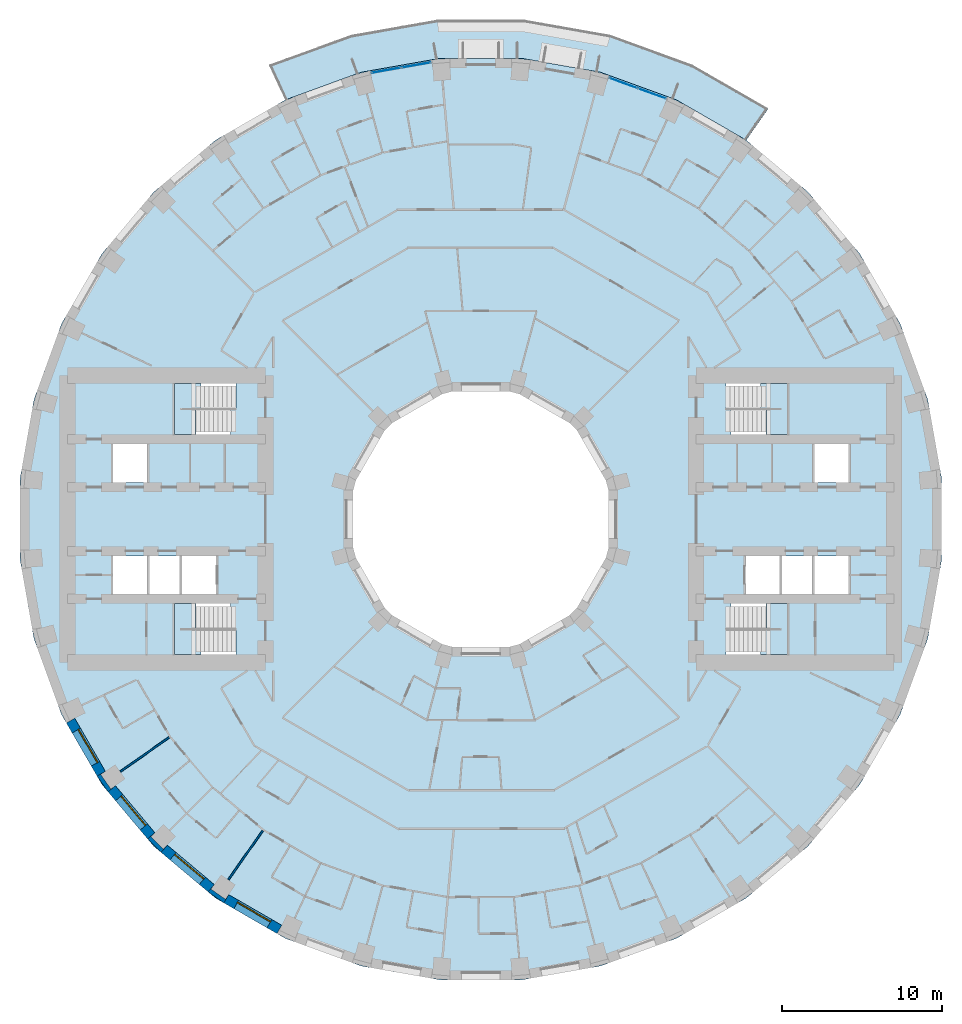
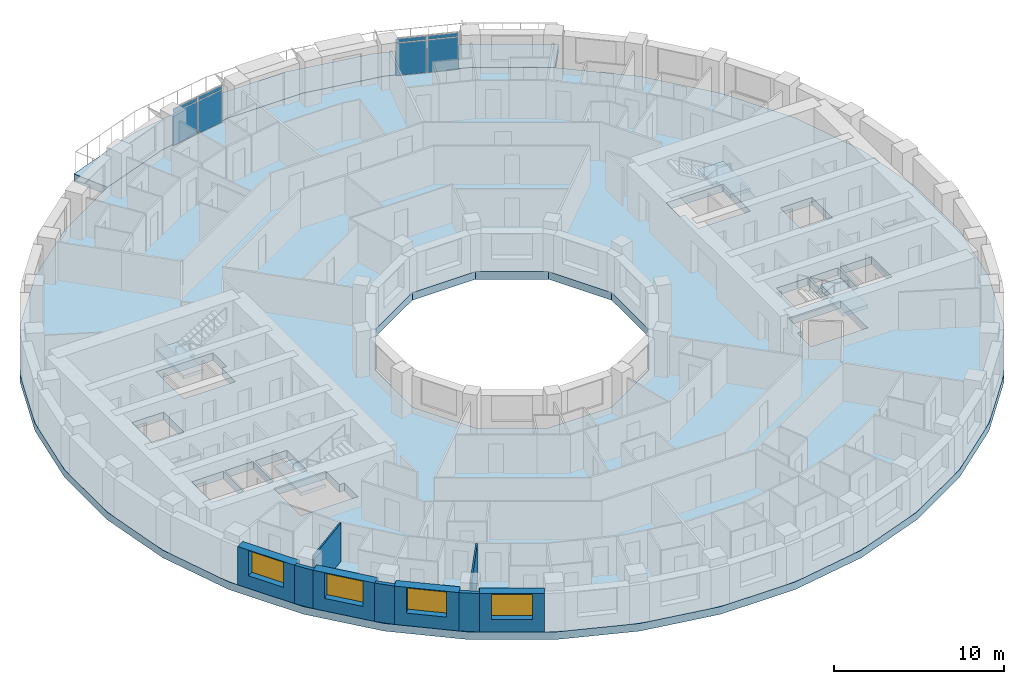
# One storey, part 3 of 15: 9 walls, 8 plates, 6 slabs, 4 windows, 4 openings, 6 elements without a shape of their own.
"""IFC4 building model written with IfcOpenShell, lengths in metres."""

from ifc_helpers import new_model, si_unit, direction, frame, frame_2d, origin, origin_2d, place, context, subcontext, project, spatial, polyline, rectangle, outline, extrude, material, layer, layer_set, type_object, element, fill, aggregate, save


model = new_model("IFC4")

# Units and contexts
model_context = context("Model", 3, precision=1e-05, world=origin(), true_north=direction((0.0, 1.0)))
body_context = subcontext(model_context, "Body", "Model", "MODEL_VIEW")
ifc_project = project(units=[si_unit("LENGTHUNIT", "METRE"), si_unit("AREAUNIT", "SQUARE_METRE"), si_unit("VOLUMEUNIT", "CUBIC_METRE"), si_unit("PLANEANGLEUNIT", "RADIAN"), si_unit("MASSUNIT", "GRAM", prefix="KILO")], contexts=[model_context])

# Site, building, storey
site_placement = place(None, origin())
site = spatial("IfcSite", under=ifc_project, at=site_placement, CompositionType="ELEMENT")
building_placement = place(site_placement, origin())
building = spatial("IfcBuilding", under=site, at=building_placement, Name="Saqina Gate Tower", CompositionType="ELEMENT")
storey_placement = place(building_placement, frame((0.0, 0.0, 75.800048828125)))
storey = spatial("IfcBuildingStorey", under=building, at=storey_placement, Name="L21", CompositionType="ELEMENT", Elevation=75.800048828125)

# Curtain wall, plates
ifc_material_1 = material(Name="Aluminium glazing", Category="aluminium")
ifc_layer_1 = layer(ifc_material_1, 0.159912109375)
ifc_layer_set_1 = layer_set([ifc_layer_1], Name="CWT-4")
curtain_wall_type = type_object("IfcCurtainWallType", Name="CWT-4", PredefinedType="NOTDEFINED", material=ifc_layer_set_1)
curtain_wall_1_placement = place(storey_placement, origin())
curtain_wall_1 = element("IfcCurtainWall", 1, at=curtain_wall_1_placement, inside=storey, type_object=curtain_wall_type, Name="Terrace lounge glazing facet 7", PredefinedType="NOTDEFINED")
ifc_material_2 = material(Name="Glass", Category="glass")
ifc_layer_2 = layer(ifc_material_2, 0.028076171875)
ifc_layer_set_2 = layer_set([ifc_layer_2], Name="CWT-4P")
plate_type = type_object("IfcPlateType", Name="CWT-4P", PredefinedType="CURTAIN_PANEL", material=ifc_layer_set_2)
plate_1_placement = place(storey_placement, frame((10.718994140625, 26.682861328125, 0.059814453125), z_axis=(0.0, 0.0, 1.0), x_axis=(-0.939696968811, 0.34200819699, 0.0)))
plate_1 = element("IfcPlate", 2, at=plate_1_placement, type_object=plate_type, Name="CW4-07 panel 1.1", PredefinedType="CURTAIN_PANEL", context=body_context, shape_type="SweptSolid", body=[
    extrude(rectangle(XDim=1.8330078125, YDim=0.028076171875, at=origin_2d()), origin(), (0.0, 0.0, 1.0), 2.31005859375),
])
plate_2_placement = place(storey_placement, frame((10.718994140625, 26.682861328125, 2.43017578125), z_axis=(0.0, 0.0, 1.0), x_axis=(-0.939696968811, 0.34200819699, 0.0)))
plate_2 = element("IfcPlate", 3, at=plate_2_placement, type_object=plate_type, Name="CW4-07 panel 1.2", PredefinedType="CURTAIN_PANEL", context=body_context, shape_type="SweptSolid", body=[
    extrude(rectangle(XDim=1.8330078125, YDim=0.028076171875, at=origin_2d()), origin(), (0.0, 0.0, 1.0), 0.260009765625),
])
plate_3_placement = place(storey_placement, frame((8.940185546875, 27.330078125, 0.059814453125), z_axis=(0.0, 0.0, 1.0), x_axis=(-0.939696968811, 0.34200819699, 0.0)))
plate_3 = element("IfcPlate", 4, at=plate_3_placement, type_object=plate_type, Name="CW4-07 panel 2.1", PredefinedType="CURTAIN_PANEL", context=body_context, shape_type="SweptSolid", body=[
    extrude(rectangle(XDim=1.8330078125, YDim=0.028076171875, at=origin_2d()), origin(), (0.0, 0.0, 1.0), 2.31005859375),
])
plate_4_placement = place(storey_placement, frame((8.940185546875, 27.330078125, 2.43017578125), z_axis=(0.0, 0.0, 1.0), x_axis=(-0.939696968811, 0.34200819699, 0.0)))
plate_4 = element("IfcPlate", 5, at=plate_4_placement, type_object=plate_type, Name="CW4-07 panel 2.2", PredefinedType="CURTAIN_PANEL", context=body_context, shape_type="SweptSolid", body=[
    extrude(rectangle(XDim=1.8330078125, YDim=0.028076171875, at=origin_2d()), origin(), (0.0, 0.0, 1.0), 0.260009765625),
])
aggregate(curtain_wall_1, [plate_1, plate_2, plate_3, plate_4])

curtain_wall_2_placement = place(storey_placement, origin())
curtain_wall_2 = element("IfcCurtainWall", 6, at=curtain_wall_2_placement, inside=storey, type_object=curtain_wall_type, Name="Terrace lounge glazing facet 10", PredefinedType="NOTDEFINED")
plate_5_placement = place(storey_placement, frame((-4.05859375, 28.46728515625, 0.059814453125), z_axis=(0.0, 0.0, 1.0), x_axis=(-0.984808678199, -0.17364293059, 0.0)))
plate_5 = element("IfcPlate", 7, at=plate_5_placement, type_object=plate_type, Name="CW4-10 panel 1.1", PredefinedType="CURTAIN_PANEL", context=body_context, shape_type="SweptSolid", body=[
    extrude(rectangle(XDim=1.8330078125, YDim=0.028076171875, at=origin_2d()), origin(), (0.0, 0.0, 1.0), 2.31005859375),
])
plate_6_placement = place(storey_placement, frame((-4.05859375, 28.46728515625, 2.43017578125), z_axis=(0.0, 0.0, 1.0), x_axis=(-0.984808678199, -0.17364293059, 0.0)))
plate_6 = element("IfcPlate", 8, at=plate_6_placement, type_object=plate_type, Name="CW4-10 panel 1.2", PredefinedType="CURTAIN_PANEL", context=body_context, shape_type="SweptSolid", body=[
    extrude(rectangle(XDim=1.8330078125, YDim=0.028076171875, at=origin_2d()), origin(), (0.0, 0.0, 1.0), 0.260009765625),
])
plate_7_placement = place(storey_placement, frame((-5.922607421875, 28.138671875, 0.059814453125), z_axis=(0.0, 0.0, 1.0), x_axis=(-0.984808678199, -0.17364293059, 0.0)))
plate_7 = element("IfcPlate", 9, at=plate_7_placement, type_object=plate_type, Name="CW4-10 panel 2.1", PredefinedType="CURTAIN_PANEL", context=body_context, shape_type="SweptSolid", body=[
    extrude(rectangle(XDim=1.8330078125, YDim=0.028076171875, at=origin_2d()), origin(), (0.0, 0.0, 1.0), 2.31005859375),
])
plate_8_placement = place(storey_placement, frame((-5.922607421875, 28.138671875, 2.43017578125), z_axis=(0.0, 0.0, 1.0), x_axis=(-0.984808678199, -0.17364293059, 0.0)))
plate_8 = element("IfcPlate", 10, at=plate_8_placement, type_object=plate_type, Name="CW4-10 panel 2.2", PredefinedType="CURTAIN_PANEL", context=body_context, shape_type="SweptSolid", body=[
    extrude(rectangle(XDim=1.8330078125, YDim=0.028076171875, at=origin_2d()), origin(), (0.0, 0.0, 1.0), 0.260009765625),
])
aggregate(curtain_wall_2, [plate_5, plate_6, plate_7, plate_8])

# Stair, slab
ifc_material_3 = material(Name="Concrete C40/50", Category="concrete")
stair_type = type_object("IfcStairType", Name="EXIT STAIR", PredefinedType="HALF_TURN_STAIR", material=ifc_material_3)
stair_1_placement = place(storey_placement, origin())
stair_1 = element("IfcStair", 11, at=stair_1_placement, inside=storey, type_object=stair_type, Name="EXIT STAIR 1", PredefinedType="HALF_TURN_STAIR")
ifc_material_4 = material(Name="Concrete C40/50", Category="concrete")
ifc_layer_3 = layer(ifc_material_4, 0.25)
ifc_layer_set_3 = layer_set([ifc_layer_3], Name="Concrete C40/50")
slab_type_1 = type_object("IfcSlabType", Name="EXIT STAIR LANDING", PredefinedType="LANDING", material=ifc_layer_set_3)
slab_1_placement = place(storey_placement, frame((0.0, 0.0, 1.39990234375)))
slab_1 = element("IfcSlab", 12, at=slab_1_placement, type_object=slab_type_1, Name="EXIT STAIR 1 LANDING 1", PredefinedType="LANDING", context=body_context, shape_type="SweptSolid", body=[
    extrude(outline(polyline([(19.219970703125, 8.5), (19.219970703125, 5.300048828125), (17.864990234375, 5.300048828125), (17.864990234375, 6.89990234375), (17.534423828125, 6.89990234375), (17.534423828125, 8.5), (17.864990234375, 8.5), (17.8701171875, 8.5), (19.219970703125, 8.5)])), origin(), (0.0, 0.0, 1.0), 0.25),
])
aggregate(stair_1, [slab_1])

stair_2_placement = place(storey_placement, origin())
stair_2 = element("IfcStair", 13, at=stair_2_placement, inside=storey, type_object=stair_type, Name="EXIT STAIR 2", PredefinedType="HALF_TURN_STAIR")
slab_2_placement = place(storey_placement, frame((0.0, 0.0, 1.39990234375)))
slab_2 = element("IfcSlab", 14, at=slab_2_placement, type_object=slab_type_1, Name="EXIT STAIR 2 LANDING 1", PredefinedType="LANDING", context=body_context, shape_type="SweptSolid", body=[
    extrude(outline(polyline([(17.534423828125, -8.5), (17.534423828125, -6.89990234375), (17.864990234375, -6.89990234375), (17.864990234375, -5.300048828125), (19.219970703125, -5.300048828125), (19.219970703125, -8.5), (17.8701171875, -8.5), (17.864990234375, -8.5), (17.534423828125, -8.5)])), origin(), (0.0, 0.0, 1.0), 0.25),
])
aggregate(stair_2, [slab_2])

stair_3_placement = place(storey_placement, origin())
stair_3 = element("IfcStair", 15, at=stair_3_placement, inside=storey, type_object=stair_type, Name="EXIT STAIR 3", PredefinedType="HALF_TURN_STAIR")
slab_3_placement = place(storey_placement, frame((0.0, 0.0, 1.39990234375)))
slab_3 = element("IfcSlab", 16, at=slab_3_placement, type_object=slab_type_1, Name="EXIT STAIR 3 LANDING 1", PredefinedType="LANDING", context=body_context, shape_type="SweptSolid", body=[
    extrude(outline(polyline([(-17.864990234375, 5.300048828125), (-19.219970703125, 5.300048828125), (-19.219970703125, 8.5), (-17.8701171875, 8.5), (-17.864990234375, 8.5), (-17.534423828125, 8.5), (-17.534423828125, 6.89990234375), (-17.864990234375, 6.89990234375), (-17.864990234375, 5.300048828125)])), origin(), (0.0, 0.0, 1.0), 0.25),
])
aggregate(stair_3, [slab_3])

stair_4_placement = place(storey_placement, origin())
stair_4 = element("IfcStair", 17, at=stair_4_placement, inside=storey, type_object=stair_type, Name="EXIT STAIR 4", PredefinedType="HALF_TURN_STAIR")
slab_4_placement = place(storey_placement, frame((0.0, 0.0, 1.39990234375)))
slab_4 = element("IfcSlab", 18, at=slab_4_placement, type_object=slab_type_1, Name="EXIT STAIR 4 LANDING 1", PredefinedType="LANDING", context=body_context, shape_type="SweptSolid", body=[
    extrude(outline(polyline([(-17.534423828125, -6.89990234375), (-17.534423828125, -8.5), (-17.864990234375, -8.5), (-17.8701171875, -8.5), (-19.219970703125, -8.5), (-19.219970703125, -5.300048828125), (-17.864990234375, -5.300048828125), (-17.864990234375, -6.89990234375), (-17.534423828125, -6.89990234375)])), origin(), (0.0, 0.0, 1.0), 0.25),
])
aggregate(stair_4, [slab_4])

# Slabs
ifc_material_5 = material(Name="Concrete C40/50", Category="concrete")
ifc_layer_4 = layer(ifc_material_5, 0.550048828125)
ifc_layer_set_4 = layer_set([ifc_layer_4], Name="Concrete C40/50")
slab_type_2 = type_object("IfcSlabType", Name="STR-POST-TENSIONED FLAT PLATE FLOOR-550", PredefinedType="FLOOR", material=ifc_layer_set_4)
slab_5_placement = place(storey_placement, frame((0.0, 0.0, -0.550048828125)))
element("IfcSlab", 19, at=slab_5_placement, inside=storey, type_object=slab_type_2, Name="L21-SLB01", PredefinedType="FLOOR", context=body_context, shape_type="SweptSolid", body=[
    extrude(outline(polyline([(28.011962890625, -7.505859375), (28.8896484375, -2.527587890625), (28.8896484375, 2.527587890625), (28.011962890625, 7.505859375), (26.282958984375, 12.255859375), (23.75537109375, 16.6337890625), (20.506103515625, 20.506103515625), (16.6337890625, 23.75537109375), (12.255859375, 26.282958984375), (7.505859375, 28.011962890625), (2.527587890625, 28.8896484375), (-2.527587890625, 28.8896484375), (-7.505859375, 28.011962890625), (-12.255859375, 26.282958984375), (-16.6337890625, 23.75537109375), (-20.506103515625, 20.506103515625), (-23.75537109375, 16.6337890625), (-26.282958984375, 12.255859375), (-28.011962890625, 7.505859375), (-28.8896484375, 2.527587890625), (-28.8896484375, -2.527587890625), (-28.011962890625, -7.505859375), (-26.282958984375, -12.255859375), (-23.75537109375, -16.6337890625), (-20.506103515625, -20.506103515625), (-16.6337890625, -23.75537109375), (-12.255859375, -26.282958984375), (-7.505859375, -28.011962890625), (-2.527587890625, -28.8896484375), (2.527587890625, -28.8896484375), (7.505859375, -28.011962890625), (12.255859375, -26.282958984375), (16.6337890625, -23.75537109375), (20.506103515625, -20.506103515625), (23.75537109375, -16.6337890625), (26.282958984375, -12.255859375), (28.011962890625, -7.505859375)]), holes=[polyline([(2.1435546875, 8.0), (5.8564453125, 5.8564453125), (8.0, 2.1435546875), (8.0, -2.1435546875), (5.8564453125, -5.8564453125), (2.1435546875, -8.0), (-2.1435546875, -8.0), (-5.8564453125, -5.8564453125), (-8.0, -2.1435546875), (-8.0, 2.1435546875), (-5.8564453125, 5.8564453125), (-2.1435546875, 8.0), (2.1435546875, 8.0)]), polyline([(-19.219970703125, -8.5), (-19.219970703125, -6.89990234375), (-19.219970703125, -5.300048828125), (-15.685546875, -5.300048828125), (-15.685546875, -6.89990234375), (-15.35498046875, -6.89990234375), (-15.35498046875, -8.5), (-19.219970703125, -8.5)]), polyline([(-20.89990234375, -2.300048828125), (-20.89990234375, -4.699951171875), (-23.06005859375, -4.699951171875), (-23.06005859375, -2.300048828125), (-20.89990234375, -2.300048828125)]), polyline([(-18.8701171875, -2.300048828125), (-18.8701171875, -4.699951171875), (-20.780029296875, -4.699951171875), (-20.780029296875, -2.300048828125), (-18.8701171875, -2.300048828125)]), polyline([(-16.590087890625, -2.300048828125), (-16.590087890625, -4.699951171875), (-18.75, -4.699951171875), (-18.75, -2.300048828125), (-16.590087890625, -2.300048828125)]), polyline([(-20.89990234375, 4.699951171875), (-20.89990234375, 2.300048828125), (-23.06005859375, 2.300048828125), (-23.06005859375, 4.699951171875), (-20.89990234375, 4.699951171875)]), polyline([(-19.219970703125, 6.89990234375), (-19.219970703125, 8.5), (-15.35498046875, 8.5), (-15.35498046875, 6.89990234375), (-15.685546875, 6.89990234375), (-15.685546875, 5.300048828125), (-19.219970703125, 5.300048828125), (-19.219970703125, 6.89990234375)]), polyline([(15.35498046875, -6.89990234375), (15.685546875, -6.89990234375), (15.685546875, -5.300048828125), (19.219970703125, -5.300048828125), (19.219970703125, -6.89990234375), (19.219970703125, -8.5), (15.35498046875, -8.5), (15.35498046875, -6.89990234375)]), polyline([(18.75, -2.300048828125), (18.75, -4.699951171875), (16.590087890625, -4.699951171875), (16.590087890625, -2.300048828125), (18.75, -2.300048828125)]), polyline([(20.780029296875, -2.300048828125), (20.780029296875, -4.699951171875), (18.8701171875, -4.699951171875), (18.8701171875, -2.300048828125), (20.780029296875, -2.300048828125)]), polyline([(23.06005859375, -2.300048828125), (23.06005859375, -4.699951171875), (20.89990234375, -4.699951171875), (20.89990234375, -2.300048828125), (23.06005859375, -2.300048828125)]), polyline([(23.06005859375, 4.699951171875), (23.06005859375, 2.300048828125), (20.89990234375, 2.300048828125), (20.89990234375, 4.699951171875), (23.06005859375, 4.699951171875)]), polyline([(15.685546875, 6.89990234375), (15.35498046875, 6.89990234375), (15.35498046875, 8.5), (19.219970703125, 8.5), (19.219970703125, 6.89990234375), (19.219970703125, 5.300048828125), (15.685546875, 5.300048828125), (15.685546875, 6.89990234375)])]), origin(), (0.0, 0.0, 1.0), 0.550048828125),
])
ifc_material_6 = material(Name="Concrete C40/50", Category="concrete")
ifc_layer_5 = layer(ifc_material_6, 0.550048828125)
ifc_layer_set_5 = layer_set([ifc_layer_5], Name="Concrete C40/50")
slab_type_3 = type_object("IfcSlabType", Name="STR-POST-TENSIONED FLAT PLATE TERRACE-550", PredefinedType="FLOOR", material=ifc_layer_set_5)
slab_6_placement = place(storey_placement, frame((0.0, 0.0, -0.550048828125)))
element("IfcSlab", 20, at=slab_6_placement, inside=storey, type_object=slab_type_3, Name="L21-TRS01", PredefinedType="FLOOR", context=body_context, shape_type="SweptSolid", body=[
    extrude(outline(polyline([(16.6337890625, 23.75537109375), (12.255859375, 26.282958984375), (7.505859375, 28.011962890625), (2.527587890625, 28.8896484375), (-2.527587890625, 28.8896484375), (-7.505859375, 28.011962890625), (-12.255859375, 26.282958984375), (-13.274169921875, 28.46630859375), (-8.12939453125, 30.3388671875), (-2.737548828125, 31.28955078125), (2.737548828125, 31.28955078125), (8.12939453125, 30.3388671875), (13.274169921875, 28.46630859375), (18.015625, 25.72900390625), (16.6337890625, 23.75537109375)])), origin(), (0.0, 0.0, 1.0), 0.550048828125),
])

# Walls
ifc_material_7 = material(Name="Brick masonry (red)", Category="masonry")
wall_type_1 = type_object("IfcWallType", Name="BRICK PIER COPING RED", PredefinedType="SOLIDWALL", material=ifc_material_7)
wall_1_placement = place(storey_placement, origin())
element("IfcWall", 21, at=wall_1_placement, inside=storey, type_object=wall_type_1, Name="Pier cap L21 column 22", PredefinedType="SOLIDWALL", context=body_context, shape_type="SweptSolid", body=[
    extrude(outline(polyline([(-24.0576171875, -16.110107421875), (-23.36669921875, -17.096923828125), (-22.9072265625, -16.711181640625), (-23.194091796875, -16.912109375), (-23.8251953125, -16.010986328125), (-23.5380859375, -15.81005859375), (-24.0576171875, -16.110107421875)])), origin(), (0.0, 0.0, 1.0), 2.75),
])
wall_2_placement = place(storey_placement, origin())
element("IfcWall", 22, at=wall_2_placement, inside=storey, type_object=wall_type_1, Name="Pier cap L21 column 23", PredefinedType="SOLIDWALL", context=body_context, shape_type="SweptSolid", body=[
    extrude(outline(polyline([(-20.04296875, -20.894775390625), (-19.6572265625, -20.43505859375), (-19.905029296875, -20.682861328125), (-20.682861328125, -19.905029296875), (-20.43505859375, -19.6572265625), (-20.894775390625, -20.04296875), (-20.04296875, -20.894775390625)])), origin(), (0.0, 0.0, 1.0), 2.75),
])
wall_3_placement = place(storey_placement, origin())
element("IfcWall", 23, at=wall_3_placement, inside=storey, type_object=wall_type_1, Name="Pier cap L21 column 24", PredefinedType="SOLIDWALL", context=body_context, shape_type="SweptSolid", body=[
    extrude(outline(polyline([(-17.096923828125, -23.36669921875), (-16.110107421875, -24.0576171875), (-15.81005859375, -23.5380859375), (-16.010986328125, -23.8251953125), (-16.912109375, -23.194091796875), (-16.711181640625, -22.9072265625), (-17.096923828125, -23.36669921875)])), origin(), (0.0, 0.0, 1.0), 2.75),
])

# Wall, opening, window
ifc_material_8 = material(Name="Brick masonry (red)", Category="masonry")
ifc_layer_6 = layer(ifc_material_8, 0.60009765625)
ifc_layer_set_6 = layer_set([ifc_layer_6], Name="FW-BRICK-RED")
wall_type_2 = type_object("IfcWallType", Name="FW-BRICK-RED", PredefinedType="SOLIDWALL", material=ifc_layer_set_6)
wall_4_placement = place(storey_placement, frame((-25.720703125, -12.629638671875, 0.0), z_axis=(0.0, 0.0, 1.0), x_axis=(0.499989888488, -0.86603124159, 0.0)))
wall_4 = element("IfcWall", 24, at=wall_4_placement, inside=storey, type_object=wall_type_2, Name="Facade wall L21 facet 21", PredefinedType="SOLIDWALL", context=body_context, shape_type="SweptSolid", body=[
    extrude(rectangle(XDim=3.845703125, YDim=0.60009765625, at=frame_2d((1.9228515625, 0.0))), origin(), (0.0, 0.0, 1.0), 2.75),
])
opening_1_placement = place(wall_4_placement, frame((0.722900390625, 0.0, 0.89990234375)))
opening_1 = element("IfcOpeningElement", 25, at=opening_1_placement, cuts=wall_4, Name="Opening G06-W10", PredefinedType="OPENING", context=body_context, shape_type="SweptSolid", body=[
    extrude(rectangle(XDim=2.39990234375, YDim=1.800048828125, at=frame_2d((1.199951171875, 0.89990234375))), frame((0.0, 0.31201171875, 0.0), z_axis=(0.0, -1.0, 0.0), x_axis=(1.0, 0.0, 0.0)), (0.0, 0.0, 1.0), 0.6240234375),
])
ifc_material_9 = material(Name="Aluminium glazing", Category="aluminium")
window_type = type_object("IfcWindowType", Name="WN-A", PartitioningType="SINGLE_PANEL", PredefinedType="WINDOW", material=ifc_material_9)
window_1_placement = place(opening_1_placement, origin())
window_1 = element("IfcWindow", 26, at=window_1_placement, inside=storey, type_object=window_type, Name="Window L21 facet 21", OverallHeight=1.800048828125, OverallWidth=2.39990234375, PartitioningType="SINGLE_PANEL", PredefinedType="WINDOW", context=body_context, shape_type="SweptSolid", body=[
    extrude(rectangle(XDim=2.39990234375, YDim=1.800048828125, at=frame_2d((1.199951171875, 0.89990234375))), frame((0.0, 0.179931640625, 0.0), z_axis=(0.0, -1.0, 0.0), x_axis=(1.0, 0.0, 0.0)), (0.0, 0.0, 1.0), 0.06005859375),
])
fill(opening_1, window_1)

wall_5_placement = place(storey_placement, frame((-23.136962890625, -16.904052734375, 0.0), z_axis=(0.0, 0.0, 1.0), x_axis=(0.642809392687, -0.766026164483, 0.0)))
wall_5 = element("IfcWall", 27, at=wall_5_placement, inside=storey, type_object=wall_type_2, Name="Facade wall L21 facet 22", PredefinedType="SOLIDWALL", context=body_context, shape_type="SweptSolid", body=[
    extrude(rectangle(XDim=3.845947265625, YDim=0.60009765625, at=frame_2d((1.9228515625, 0.0))), origin(), (0.0, 0.0, 1.0), 2.75),
])
opening_2_placement = place(wall_5_placement, frame((0.722900390625, 0.0, 0.89990234375)))
opening_2 = element("IfcOpeningElement", 28, at=opening_2_placement, cuts=wall_5, Name="Opening G06-W11", PredefinedType="OPENING", context=body_context, shape_type="SweptSolid", body=[
    extrude(rectangle(XDim=2.39990234375, YDim=1.800048828125, at=frame_2d((1.199951171875, 0.89990234375))), frame((0.0, 0.31201171875, 0.0), z_axis=(0.0, -1.0, 0.0), x_axis=(1.0, 0.0, 0.0)), (0.0, 0.0, 1.0), 0.6240234375),
])
window_2_placement = place(opening_2_placement, origin())
window_2 = element("IfcWindow", 29, at=window_2_placement, inside=storey, type_object=window_type, Name="Window L21 facet 22", OverallHeight=1.800048828125, OverallWidth=2.39990234375, PartitioningType="SINGLE_PANEL", PredefinedType="WINDOW", context=body_context, shape_type="SweptSolid", body=[
    extrude(rectangle(XDim=2.39990234375, YDim=1.800048828125, at=frame_2d((1.199951171875, 0.89990234375))), frame((0.0, 0.179931640625, 0.0), z_axis=(0.0, -1.0, 0.0), x_axis=(1.0, 0.0, 0.0)), (0.0, 0.0, 1.0), 0.06005859375),
])
fill(opening_2, window_2)

wall_6_placement = place(storey_placement, frame((-19.85009765625, -20.664794921875, 0.0), z_axis=(0.0, 0.0, 1.0), x_axis=(0.766026164483, -0.642809392687, 0.0)))
wall_6 = element("IfcWall", 30, at=wall_6_placement, inside=storey, type_object=wall_type_2, Name="Facade wall L21 facet 23", PredefinedType="SOLIDWALL", context=body_context, shape_type="SweptSolid", body=[
    extrude(rectangle(XDim=3.845947265625, YDim=0.60009765625, at=frame_2d((1.9228515625, 0.0))), origin(), (0.0, 0.0, 1.0), 2.75),
])
opening_3_placement = place(wall_6_placement, frame((0.722900390625, 0.0, 0.89990234375)))
opening_3 = element("IfcOpeningElement", 31, at=opening_3_placement, cuts=wall_6, Name="Opening G06-W12", PredefinedType="OPENING", context=body_context, shape_type="SweptSolid", body=[
    extrude(rectangle(XDim=2.39990234375, YDim=1.800048828125, at=frame_2d((1.199951171875, 0.89990234375))), frame((0.0, 0.31201171875, 0.0), z_axis=(0.0, -1.0, 0.0), x_axis=(1.0, 0.0, 0.0)), (0.0, 0.0, 1.0), 0.6240234375),
])
window_3_placement = place(opening_3_placement, origin())
window_3 = element("IfcWindow", 32, at=window_3_placement, inside=storey, type_object=window_type, Name="Window L21 facet 23", OverallHeight=1.800048828125, OverallWidth=2.39990234375, PartitioningType="SINGLE_PANEL", PredefinedType="WINDOW", context=body_context, shape_type="SweptSolid", body=[
    extrude(rectangle(XDim=2.39990234375, YDim=1.800048828125, at=frame_2d((1.199951171875, 0.89990234375))), frame((0.0, 0.179931640625, 0.0), z_axis=(0.0, -1.0, 0.0), x_axis=(1.0, 0.0, 0.0)), (0.0, 0.0, 1.0), 0.06005859375),
])
fill(opening_3, window_3)

wall_7_placement = place(storey_placement, frame((-15.960205078125, -23.7978515625, 0.0), z_axis=(0.0, 0.0, 1.0), x_axis=(0.86603124159, -0.499989888488, 0.0)))
wall_7 = element("IfcWall", 33, at=wall_7_placement, inside=storey, type_object=wall_type_2, Name="Facade wall L21 facet 24", PredefinedType="SOLIDWALL", context=body_context, shape_type="SweptSolid", body=[
    extrude(rectangle(XDim=3.845703125, YDim=0.60009765625, at=frame_2d((1.9228515625, 0.0))), origin(), (0.0, 0.0, 1.0), 2.75),
])
opening_4_placement = place(wall_7_placement, frame((0.722900390625, 0.0, 0.89990234375)))
opening_4 = element("IfcOpeningElement", 34, at=opening_4_placement, cuts=wall_7, Name="Opening G06-W13", PredefinedType="OPENING", context=body_context, shape_type="SweptSolid", body=[
    extrude(rectangle(XDim=2.39990234375, YDim=1.800048828125, at=frame_2d((1.199951171875, 0.89990234375))), frame((0.0, 0.31201171875, 0.0), z_axis=(0.0, -1.0, 0.0), x_axis=(1.0, 0.0, 0.0)), (0.0, 0.0, 1.0), 0.6240234375),
])
window_4_placement = place(opening_4_placement, origin())
window_4 = element("IfcWindow", 35, at=window_4_placement, inside=storey, type_object=window_type, Name="Window L21 facet 24", OverallHeight=1.800048828125, OverallWidth=2.39990234375, PartitioningType="SINGLE_PANEL", PredefinedType="WINDOW", context=body_context, shape_type="SweptSolid", body=[
    extrude(rectangle(XDim=2.39990234375, YDim=1.800048828125, at=frame_2d((1.199951171875, 0.89990234375))), frame((0.0, 0.179931640625, 0.0), z_axis=(0.0, -1.0, 0.0), x_axis=(1.0, 0.0, 0.0)), (0.0, 0.0, 1.0), 0.06005859375),
])
fill(opening_4, window_4)

# Walls
ifc_material_10 = material(Name="Gypsum board on steel studs, 100 mm", Category="steel")
ifc_layer_7 = layer(ifc_material_10, 0.10009765625)
ifc_layer_set_7 = layer_set([ifc_layer_7], Name="PARTITION 100")
wall_type_3 = type_object("IfcWallType", Name="PARTITION 100", PredefinedType="PARTITIONING", material=ifc_layer_set_7)
for number, where, z_axis, x_axis, name in (
    (36, (-22.6005859375, -15.824951171875, 0.0), (0.0, 0.0, 1.0), (0.819152325028, 0.573576035414, 0.0), "PARTITION PW3-84"),
    (37, (-15.824951171875, -22.6005859375, 0.0), (0.0, 0.0, 1.0), (0.573576035414, 0.819152325028, 0.0), "PARTITION PW3-101"),
):
    element("IfcWall", number, at=place(storey_placement, frame(where, z_axis=z_axis, x_axis=x_axis)), inside=storey, type_object=wall_type_3, Name=name, PredefinedType="PARTITIONING", context=body_context, shape_type="SweptSolid", body=[
        extrude(rectangle(XDim=3.7470703125, YDim=0.10009765625, at=frame_2d((1.87353515625, 0.0))), origin(), (0.0, 0.0, 1.0), 2.75),
    ])

save(model, "model.ifc")
